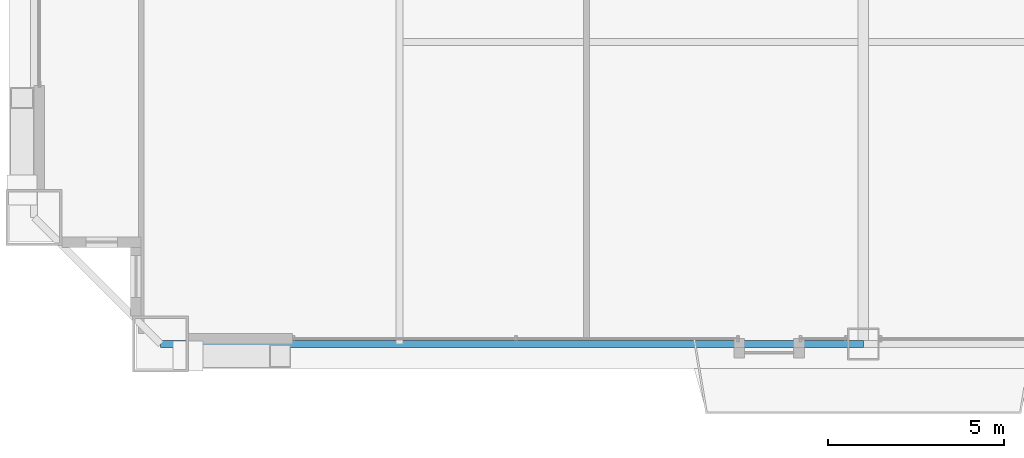
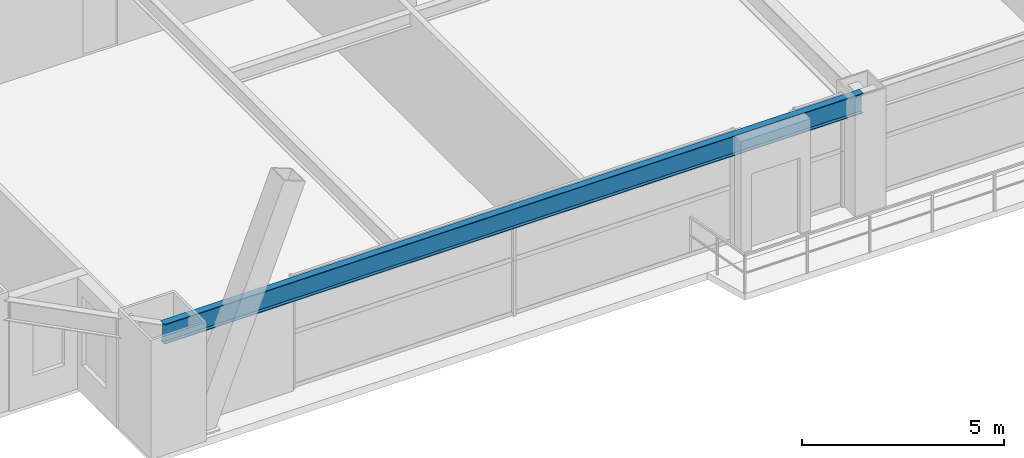
# One storey, part 4 of 43: 1 beam.
"""IFC4 building model written with IfcOpenShell, lengths in metres."""

from ifc_helpers import new_model, si_unit, direction, frame, origin, origin_2d, place, context, subcontext, project, spatial, i_section, extrude, source, transform, mapped, material, material_profile, profile_set, type_object, element, save


model = new_model("IFC4")

# Units and contexts
model_context = context("Model", 3, precision=1e-05, world=origin(), true_north=direction((0.0, 1.0)))
body_context = subcontext(model_context, "Body", "Model", "MODEL_VIEW")
ifc_project = project(units=[si_unit("LENGTHUNIT", "METRE"), si_unit("AREAUNIT", "SQUARE_METRE"), si_unit("VOLUMEUNIT", "CUBIC_METRE"), si_unit("PLANEANGLEUNIT", "RADIAN"), si_unit("MASSUNIT", "GRAM", prefix="KILO"), si_unit("THERMODYNAMICTEMPERATUREUNIT", "KELVIN"), si_unit("POWERUNIT", "WATT")], contexts=[model_context])

# Site, building, storey
site_placement = place(None, origin())
site = spatial("IfcSite", under=ifc_project, at=site_placement, CompositionType="ELEMENT")
building_placement = place(site_placement, origin())
building = spatial("IfcBuilding", under=site, at=building_placement, Name="Yuzanri Waterfront Tower", CompositionType="ELEMENT")
storey_placement = place(building_placement, frame((0.0, 0.0, 101.0)))
storey = spatial("IfcBuildingStorey", under=building, at=storey_placement, Name="L26", CompositionType="ELEMENT", Elevation=101.0)

# Beam
ifc_material = material(Name="Steel Q355B", Category="steel")
ifc_material_profile = material_profile(ifc_material, i_section(OverallWidth=0.199951171875, OverallDepth=0.60009765625, WebThickness=0.010986328125, FlangeThickness=0.01708984375, at=origin_2d()), Name="HN 600x200x11x17")
ifc_profile_set = profile_set([ifc_material_profile], Name="Steel Q355B")
beam_type = type_object("IfcBeamType", Name="Perimeter Spandrel Q355B HN 600x200", PredefinedType="SPANDREL", material=ifc_profile_set)
shared_shape = source(origin(), body_context, "Body", "SweptSolid", [
    extrude(i_section(OverallWidth=0.199951171875, OverallDepth=0.60009765625, WebThickness=0.010986328125, FlangeThickness=0.01708984375, at=origin_2d()), origin(), (0.0, 0.0, 1.0), 20.0),
])
beam_placement = place(storey_placement, frame((17.0, 2.199951171875, 3.080078125), z_axis=(1.0, 0.0, 0.0), x_axis=(0.0, 1.0, 0.0)))
element("IfcBeam", 1, at=beam_placement, inside=storey, type_object=beam_type, Name="L26 Perimeter Spandrel S1-S2", PredefinedType="SPANDREL", context=body_context, shape_type="MappedRepresentation", body=[
    mapped(shared_shape, transform((0.0, 0.0, 0.0), scale=1.0)),
])

save(model, "model.ifc")
